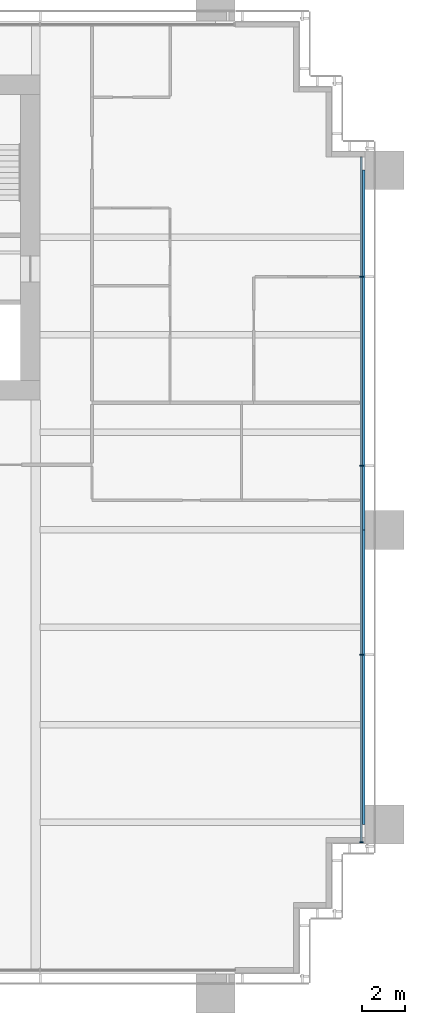
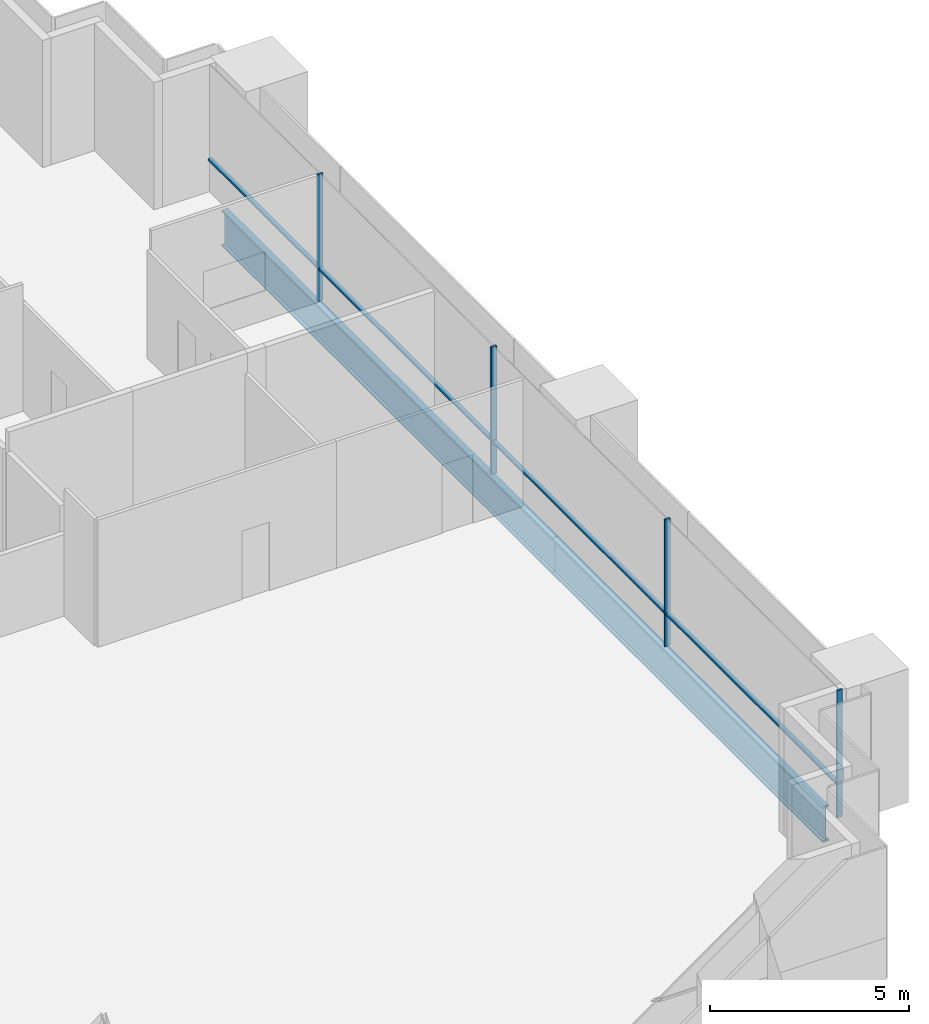
# One storey, part 9 of 19: 8 members, 2 beams, 1 element without a shape of its own.
"""IFC4 building model written with IfcOpenShell, lengths in metres."""

from ifc_helpers import new_model, si_unit, direction, frame, origin, origin_2d, place, context, subcontext, project, spatial, rectangle, i_section, extrude, material, material_profile, profile_set, type_object, element, aggregate, save


model = new_model("IFC4")

# Units and contexts
model_context = context("Model", 3, precision=1e-05, world=origin(), true_north=direction((0.0, 1.0)))
body_context = subcontext(model_context, "Body", "Model", "MODEL_VIEW")
ifc_project = project(units=[si_unit("LENGTHUNIT", "METRE"), si_unit("AREAUNIT", "SQUARE_METRE"), si_unit("VOLUMEUNIT", "CUBIC_METRE"), si_unit("PLANEANGLEUNIT", "RADIAN"), si_unit("MASSUNIT", "GRAM", prefix="KILO")], contexts=[model_context])

# Site, building, storey
site_placement = place(None, origin())
site = spatial("IfcSite", under=ifc_project, at=site_placement, CompositionType="ELEMENT")
building_placement = place(site_placement, origin())
building = spatial("IfcBuilding", under=site, at=building_placement, Name="Rattan Terrace Tower", CompositionType="ELEMENT")
storey_placement = place(building_placement, frame((0.0, 0.0, 52.89990234375)))
storey = spatial("IfcBuildingStorey", under=building, at=storey_placement, Name="L11", CompositionType="ELEMENT", Elevation=52.89990234375)

# Curtain wall, members
ifc_material_1 = material(Name="Aluminium and glass", Category="aluminium")
curtain_wall_type = type_object("IfcCurtainWallType", Name="Facade Unitised Curtain Wall", PredefinedType="NOTDEFINED", material=ifc_material_1)
curtain_wall_placement = place(storey_placement, origin())
curtain_wall = element("IfcCurtainWall", 1, at=curtain_wall_placement, inside=storey, type_object=curtain_wall_type, Name="Curtain wall L11-1", PredefinedType="NOTDEFINED")
ifc_material_2 = material(Name="Aluminium", Category="aluminium")
ifc_material_profile_1 = material_profile(ifc_material_2, rectangle(XDim=0.06005859375, YDim=0.159912109375, at=origin_2d()), Name="Aluminium 60x160")
ifc_profile_set_1 = profile_set([ifc_material_profile_1], Name="Aluminium")
member_type_1 = type_object("IfcMemberType", Name="Facade CW Mullion 60x160", PredefinedType="MULLION", material=ifc_profile_set_1)
member_1_placement = place(storey_placement, frame((32.830078125, -27.925048828125, 0.0), z_axis=(0.0, 0.0, 1.0), x_axis=(0.0, 1.0, 0.0)))
member_1 = element("IfcMember", 2, at=member_1_placement, type_object=member_type_1, Name="Mullion cwl-L11-001.1", PredefinedType="MULLION", context=body_context, shape_type="SweptSolid", body=[
    extrude(rectangle(XDim=0.06005859375, YDim=0.159912109375, at=origin_2d()), origin(), (0.0, 0.0, 1.0), 3.900146484375),
])
member_2_placement = place(storey_placement, frame((32.830078125, -19.27294921875, 0.0), z_axis=(0.0, 0.0, 1.0), x_axis=(0.0, 1.0, 0.0)))
member_2 = element("IfcMember", 3, at=member_2_placement, type_object=member_type_1, Name="Mullion cwl-L11-001.2", PredefinedType="MULLION", context=body_context, shape_type="SweptSolid", body=[
    extrude(rectangle(XDim=0.06005859375, YDim=0.159912109375, at=origin_2d()), origin(), (0.0, 0.0, 1.0), 3.900146484375),
])
member_3_placement = place(storey_placement, frame((32.830078125, -10.5458984375, 0.0), z_axis=(0.0, 0.0, 1.0), x_axis=(0.0, 1.0, 0.0)))
member_3 = element("IfcMember", 4, at=member_3_placement, type_object=member_type_1, Name="Mullion cwl-L11-001.3", PredefinedType="MULLION", context=body_context, shape_type="SweptSolid", body=[
    extrude(rectangle(XDim=0.06005859375, YDim=0.159912109375, at=origin_2d()), origin(), (0.0, 0.0, 1.0), 3.900146484375),
])
member_4_placement = place(storey_placement, frame((32.830078125, -1.819091796875, 0.0), z_axis=(0.0, 0.0, 1.0), x_axis=(0.0, 1.0, 0.0)))
member_4 = element("IfcMember", 5, at=member_4_placement, type_object=member_type_1, Name="Mullion cwl-L11-001.4", PredefinedType="MULLION", context=body_context, shape_type="SweptSolid", body=[
    extrude(rectangle(XDim=0.06005859375, YDim=0.159912109375, at=origin_2d()), origin(), (0.0, 0.0, 1.0), 3.900146484375),
])
ifc_material_3 = material(Name="Aluminium", Category="aluminium")
ifc_material_profile_2 = material_profile(ifc_material_3, rectangle(XDim=0.1201171875, YDim=0.06005859375, at=origin_2d()), Name="Aluminium 120x60")
ifc_profile_set_2 = profile_set([ifc_material_profile_2], Name="Aluminium")
member_type_2 = type_object("IfcMemberType", Name="Facade CW Transom 120x60", PredefinedType="USERDEFINED", material=ifc_profile_set_2)
member_5_placement = place(storey_placement, frame((32.830078125, -27.89501953125, 1.0), z_axis=(0.0, 1.0, 0.0), x_axis=(-1.0, 0.0, 0.0)))
member_5 = element("IfcMember", 6, at=member_5_placement, type_object=member_type_2, Name="Transom cwl-L11-001.1", ObjectType="TRANSOM", PredefinedType="USERDEFINED", context=body_context, shape_type="SweptSolid", body=[
    extrude(rectangle(XDim=0.1201171875, YDim=0.06005859375, at=origin_2d()), origin(), (0.0, 0.0, 1.0), 8.592041015625),
])
member_6_placement = place(storey_placement, frame((32.830078125, -19.242919921875, 1.0), z_axis=(0.0, 1.0, 0.0), x_axis=(-1.0, 0.0, 0.0)))
member_6 = element("IfcMember", 7, at=member_6_placement, type_object=member_type_2, Name="Transom cwl-L11-001.2", ObjectType="TRANSOM", PredefinedType="USERDEFINED", context=body_context, shape_type="SweptSolid", body=[
    extrude(rectangle(XDim=0.1201171875, YDim=0.06005859375, at=origin_2d()), origin(), (0.0, 0.0, 1.0), 8.6669921875),
])
member_7_placement = place(storey_placement, frame((32.830078125, -10.51611328125, 1.0), z_axis=(0.0, 1.0, 0.0), x_axis=(-1.0, 0.0, 0.0)))
member_7 = element("IfcMember", 8, at=member_7_placement, type_object=member_type_2, Name="Transom cwl-L11-001.3", ObjectType="TRANSOM", PredefinedType="USERDEFINED", context=body_context, shape_type="SweptSolid", body=[
    extrude(rectangle(XDim=0.1201171875, YDim=0.06005859375, at=origin_2d()), origin(), (0.0, 0.0, 1.0), 8.6669921875),
])
member_8_placement = place(storey_placement, frame((32.830078125, -1.7890625, 1.0), z_axis=(0.0, 1.0, 0.0), x_axis=(-1.0, 0.0, 0.0)))
member_8 = element("IfcMember", 9, at=member_8_placement, type_object=member_type_2, Name="Transom cwl-L11-001.4", ObjectType="TRANSOM", PredefinedType="USERDEFINED", context=body_context, shape_type="SweptSolid", body=[
    extrude(rectangle(XDim=0.1201171875, YDim=0.06005859375, at=origin_2d()), origin(), (0.0, 0.0, 1.0), 5.494140625),
])
aggregate(curtain_wall, [member_1, member_2, member_3, member_4, member_5, member_6, member_7, member_8])

# Beams
ifc_material_4 = material(Name="Steel S460", Category="steel")
ifc_material_profile_3 = material_profile(ifc_material_4, i_section(OverallWidth=0.179931640625, OverallDepth=1.10009765625, WebThickness=0.01611328125, FlangeThickness=0.050048828125, at=origin_2d()), Name="PG 1100x180-16-50")
ifc_profile_set_3 = profile_set([ifc_material_profile_3], Name="Steel S460")
beam_type = type_object("IfcBeamType", Name="Frame edge girder PG 1100x180-16-50", PredefinedType="SPANDREL", material=ifc_profile_set_3)
beam_1_placement = place(storey_placement, frame((32.909912109375, -27.10009765625, -0.75), z_axis=(0.0, 1.0, 0.0), x_axis=(-1.0, 0.0, 0.0)))
element("IfcBeam", 10, at=beam_1_placement, inside=storey, type_object=beam_type, Name="gdr-L11-005", PredefinedType="SPANDREL", context=body_context, shape_type="SweptSolid", body=[
    extrude(i_section(OverallWidth=0.179931640625, OverallDepth=1.10009765625, WebThickness=0.01611328125, FlangeThickness=0.050048828125, at=origin_2d()), origin(), (0.0, 0.0, 1.0), 13.60009765625),
])
beam_2_placement = place(storey_placement, frame((32.909912109375, -13.5, -0.75), z_axis=(0.0, 1.0, 0.0), x_axis=(-1.0, 0.0, 0.0)))
element("IfcBeam", 11, at=beam_2_placement, inside=storey, type_object=beam_type, Name="gdr-L11-007", PredefinedType="SPANDREL", context=body_context, shape_type="SweptSolid", body=[
    extrude(i_section(OverallWidth=0.179931640625, OverallDepth=1.10009765625, WebThickness=0.01611328125, FlangeThickness=0.050048828125, at=origin_2d()), origin(), (0.0, 0.0, 1.0), 16.60009765625),
])

save(model, "model.ifc")
